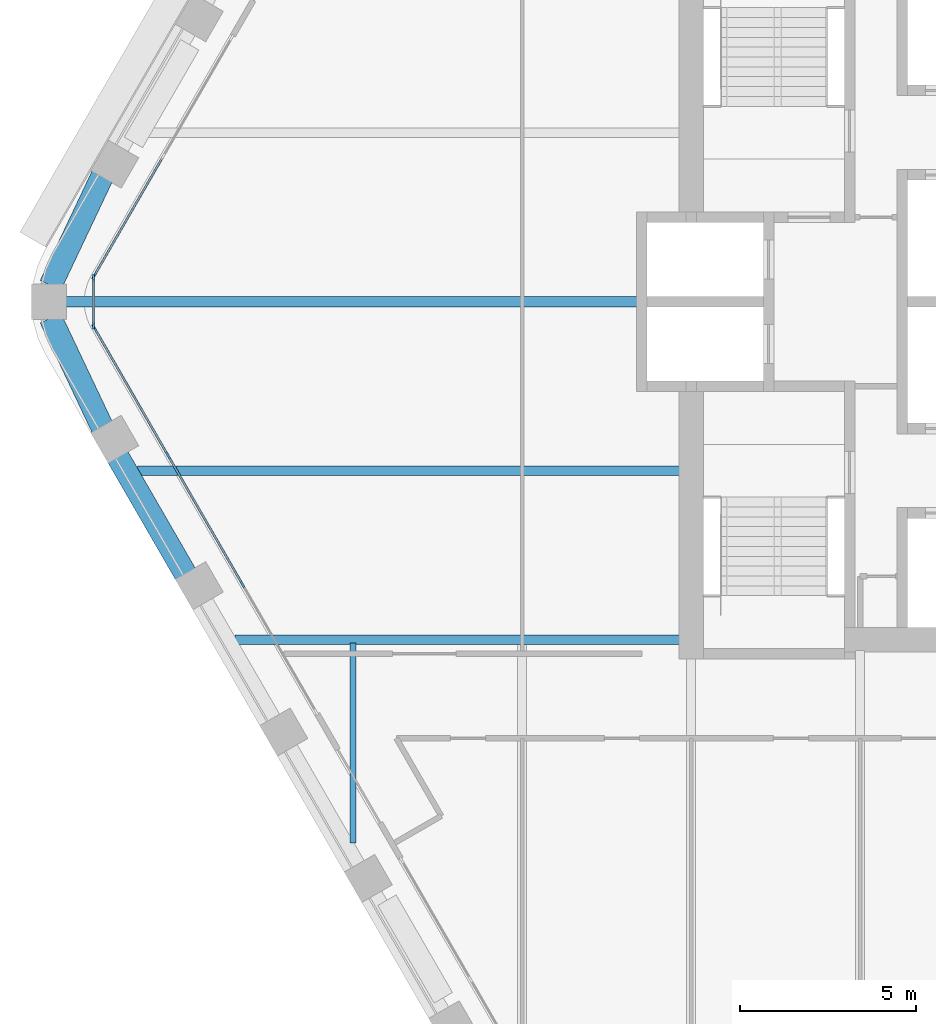
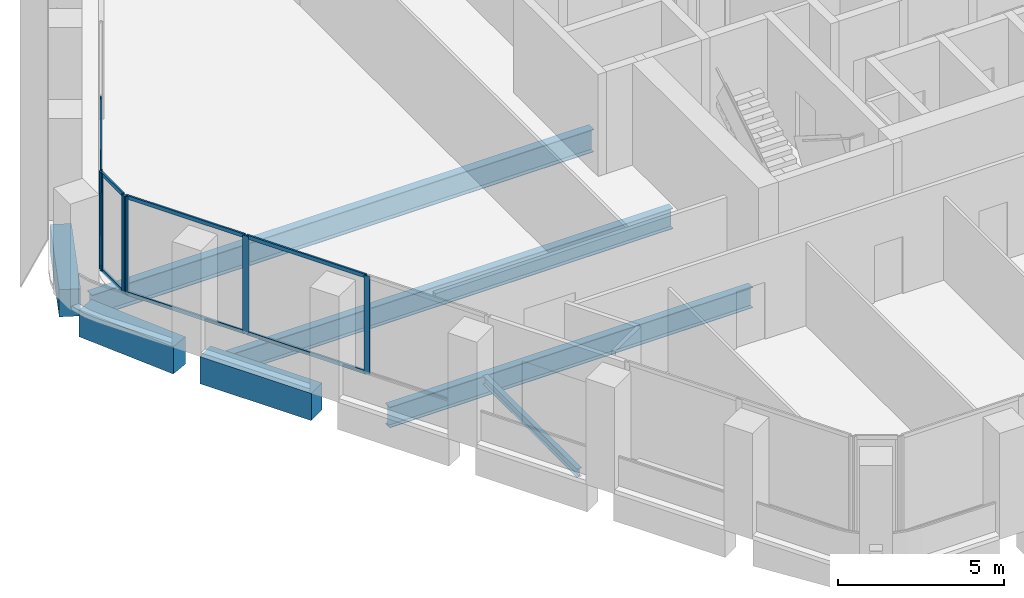
# One storey, part 3 of 16: 14 members, 7 beams, 3 elements without a shape of their own.
"""IFC4 building model written with IfcOpenShell, lengths in metres."""

from ifc_helpers import new_model, si_unit, direction, frame, origin, origin_2d, place, context, subcontext, project, spatial, rectangle, i_section, extrude, material, material_profile, profile_set, type_object, element, aggregate, save


model = new_model("IFC4")

# Units and contexts
model_context = context("Model", 3, precision=1e-05, world=origin(), true_north=direction((0.0, 1.0)))
body_context = subcontext(model_context, "Body", "Model", "MODEL_VIEW")
ifc_project = project(units=[si_unit("LENGTHUNIT", "METRE"), si_unit("AREAUNIT", "SQUARE_METRE"), si_unit("VOLUMEUNIT", "CUBIC_METRE"), si_unit("PLANEANGLEUNIT", "RADIAN"), si_unit("MASSUNIT", "GRAM", prefix="KILO")], contexts=[model_context])

# Site, building, storey
site_placement = place(None, origin())
site = spatial("IfcSite", under=ifc_project, at=site_placement, CompositionType="ELEMENT")
building_placement = place(site_placement, origin())
building = spatial("IfcBuilding", under=site, at=building_placement, Name="Kolab Exchange Tower", CompositionType="ELEMENT")
storey_placement = place(building_placement, frame((0.0, 0.0, 193.39990234375)))
storey = spatial("IfcBuildingStorey", under=building, at=storey_placement, Name="L41", CompositionType="ELEMENT", Elevation=193.39990234375)

# Beams
ifc_material_1 = material(Name="Steel S355", Category="steel")
ifc_material_profile_1 = material_profile(ifc_material_1, i_section(OverallWidth=0.1650390625, OverallDepth=0.31005859375, WebThickness=0.005859375, FlangeThickness=0.009765625, at=origin_2d()), Name="W310X39")
ifc_profile_set_1 = profile_set([ifc_material_profile_1], Name="Steel S355")
beam_type_1 = type_object("IfcBeamType", Name="FLOOR BEAM W310X39", PredefinedType="BEAM", material=ifc_profile_set_1)
beam_1_placement = place(storey_placement, frame((-19.199951171875, -15.36767578125, -0.304931640625), z_axis=(0.0, 1.0, 0.0), x_axis=(-1.0, 0.0, 0.0)))
element("IfcBeam", 1, at=beam_1_placement, inside=storey, type_object=beam_type_1, Name="beam/L41/fr/003", PredefinedType="BEAM", context=body_context, shape_type="SweptSolid", body=[
    extrude(i_section(OverallWidth=0.1650390625, OverallDepth=0.31005859375, WebThickness=0.005859375, FlangeThickness=0.009765625, at=origin_2d()), origin(), (0.0, 0.0, 1.0), 5.674072265625),
])
ifc_material_profile_2 = material_profile(ifc_material_1, i_section(OverallWidth=0.26708984375, OverallDepth=0.761962890625, WebThickness=0.014404296875, FlangeThickness=0.021484375, at=origin_2d()), Name="W760X173")
ifc_profile_set_2 = profile_set([ifc_material_profile_2], Name="Steel S355")
beam_type_2 = type_object("IfcBeamType", Name="FLOOR BEAM W760X173", PredefinedType="BEAM", material=ifc_profile_set_2)
beam_2_placement = place(storey_placement, frame((-25.318115234375, -4.800048828125, -0.531005859375), z_axis=(1.0, 0.0, 0.0), x_axis=(0.0, 1.0, 0.0)))
element("IfcBeam", 2, at=beam_2_placement, inside=storey, type_object=beam_type_2, Name="beam/L41/fr/001", PredefinedType="BEAM", context=body_context, shape_type="SweptSolid", body=[
    extrude(i_section(OverallWidth=0.26708984375, OverallDepth=0.761962890625, WebThickness=0.014404296875, FlangeThickness=0.021484375, at=origin_2d()), origin(), (0.0, 0.0, 1.0), 15.408203125),
])
ifc_material_profile_3 = material_profile(ifc_material_1, i_section(OverallWidth=0.2919921875, OverallDepth=0.840087890625, WebThickness=0.0146484375, FlangeThickness=0.021728515625, at=origin_2d()), Name="W840X193")
ifc_profile_set_3 = profile_set([ifc_material_profile_3], Name="Steel S355")
beam_type_3 = type_object("IfcBeamType", Name="FLOOR BEAM W840X193", PredefinedType="BEAM", material=ifc_profile_set_3)
beam_3_placement = place(storey_placement, frame((-27.3759765625, 0.0, -0.56982421875), z_axis=(1.0, 0.0, 0.0), x_axis=(0.0, 1.0, 0.0)))
element("IfcBeam", 3, at=beam_3_placement, inside=storey, type_object=beam_type_3, Name="beam/L41/fr/000", PredefinedType="BEAM", context=body_context, shape_type="SweptSolid", body=[
    extrude(i_section(OverallWidth=0.2919921875, OverallDepth=0.840087890625, WebThickness=0.0146484375, FlangeThickness=0.021728515625, at=origin_2d()), origin(), (0.0, 0.0, 1.0), 17.466064453125),
])
ifc_material_profile_4 = material_profile(ifc_material_1, i_section(OverallWidth=0.26708984375, OverallDepth=0.761962890625, WebThickness=0.014404296875, FlangeThickness=0.021484375, at=origin_2d()), Name="W760X173")
ifc_profile_set_4 = profile_set([ifc_material_profile_4], Name="Steel S355")
beam_type_4 = type_object("IfcBeamType", Name="FLOOR GIRDER W760X173", PredefinedType="BEAM", material=ifc_profile_set_4)
beam_4_placement = place(storey_placement, frame((-22.546875, -9.60009765625, -0.531005859375), z_axis=(1.0, 0.0, 0.0), x_axis=(0.0, 1.0, 0.0)))
element("IfcBeam", 4, at=beam_4_placement, inside=storey, type_object=beam_type_4, Name="beam/L41/gd/000", PredefinedType="BEAM", context=body_context, shape_type="SweptSolid", body=[
    extrude(i_section(OverallWidth=0.26708984375, OverallDepth=0.761962890625, WebThickness=0.014404296875, FlangeThickness=0.021484375, at=origin_2d()), origin(), (0.0, 0.0, 1.0), 12.636962890625),
])
ifc_material_2 = material(Name="Concrete C60/75", Category="concrete")
ifc_material_profile_5 = material_profile(ifc_material_2, rectangle(XDim=0.64990234375, YDim=1.0, at=origin_2d()), Name="RC650X1000")
ifc_profile_set_5 = profile_set([ifc_material_profile_5], Name="Concrete C60/75")
beam_type_5 = type_object("IfcBeamType", Name="SPANDREL BEAM 650X1000 C60/75", PredefinedType="BEAM", material=ifc_profile_set_5)
beam_5_placement = place(storey_placement, frame((-23.948486328125, -7.7529296875, -0.64990234375), z_axis=(-0.499996613652, 0.866027358884, 0.0), x_axis=(-0.866027358884, -0.499996613652, 0.0)))
element("IfcBeam", 5, at=beam_5_placement, inside=storey, type_object=beam_type_5, Name="beam/L41/sp/F5-05", PredefinedType="BEAM", context=body_context, shape_type="SweptSolid", body=[
    extrude(rectangle(XDim=0.64990234375, YDim=1.0, at=origin_2d()), origin(), (0.0, 0.0, 1.0), 3.8798828125),
])
for number, where, z_axis, x_axis, name in (
    (6, (-26.316162109375, -3.5771484375, -0.64990234375), (-0.428177731975, 0.903694544545, 0.0), (-0.903694544545, -0.428177731975, 0.0), "beam/L41/sp/F5-06"),
    (7, (-27.791259765625, 0.4638671875, -0.64990234375), (0.428177731975, 0.903694544545, 0.0), (-0.903694544545, 0.428177731975, 0.0), "beam/L41/sp/F6-01"),
):
    element("IfcBeam", number, at=place(storey_placement, frame(where, z_axis=z_axis, x_axis=x_axis)), inside=storey, type_object=beam_type_5, Name=name, PredefinedType="BEAM", context=body_context, shape_type="SweptSolid", body=[
        extrude(rectangle(XDim=0.64990234375, YDim=1.0, at=origin_2d()), origin(), (0.0, 0.0, 1.0), 3.445068359375),
    ])

# Curtain wall, members
ifc_material_3 = material(Name="Aluminium EN AW-6063 T6", Category="aluminium")
curtain_wall_type = type_object("IfcCurtainWallType", Name="UNITISED UPPER MID ZONE CURTAIN WALL", PredefinedType="NOTDEFINED", material=ifc_material_3)
curtain_wall_1_placement = place(storey_placement, origin())
curtain_wall_1 = element("IfcCurtainWall", 8, at=curtain_wall_1_placement, inside=storey, type_object=curtain_wall_type, Name="cw/L41/F5-2", PredefinedType="NOTDEFINED")
ifc_material_profile_6 = material_profile(ifc_material_3, rectangle(XDim=0.06005859375, YDim=0.199951171875, at=origin_2d()), Name="RECT 60X200")
ifc_profile_set_6 = profile_set([ifc_material_profile_6], Name="Aluminium EN AW-6063 T6")
member_type_1 = type_object("IfcMemberType", Name="UNITISED UPPER MID ZONE MULLION 60 X 200", PredefinedType="MULLION", material=ifc_profile_set_6)
member_1_placement = place(storey_placement, frame((-22.343017578125, -8.02392578125, 0.0), z_axis=(0.0, 0.0, 1.0), x_axis=(-0.866025427826, -0.499999958358, 0.0)))
member_1 = element("IfcMember", 9, at=member_1_placement, type_object=member_type_1, Name="CW3 mullion 2", PredefinedType="MULLION", context=body_context, shape_type="SweptSolid", body=[
    extrude(rectangle(XDim=0.06005859375, YDim=0.199951171875, at=origin_2d()), origin(), (0.0, 0.0, 1.0), 3.60009765625),
])
member_2_placement = place(storey_placement, frame((-24.454345703125, -4.366943359375, 0.0), z_axis=(0.0, 0.0, 1.0), x_axis=(-0.866025427826, -0.499999958358, 0.0)))
member_2 = element("IfcMember", 10, at=member_2_placement, type_object=member_type_1, Name="CW3 mullion 3", PredefinedType="MULLION", context=body_context, shape_type="SweptSolid", body=[
    extrude(rectangle(XDim=0.06005859375, YDim=0.199951171875, at=origin_2d()), origin(), (0.0, 0.0, 1.0), 3.60009765625),
])
member_3_placement = place(storey_placement, frame((-26.550537109375, -0.736083984375, 0.0), z_axis=(0.0, 0.0, 1.0), x_axis=(-0.866025427826, -0.499999958358, 0.0)))
member_3 = element("IfcMember", 11, at=member_3_placement, type_object=member_type_1, Name="CW3 mullion 4", PredefinedType="MULLION", context=body_context, shape_type="SweptSolid", body=[
    extrude(rectangle(XDim=0.06005859375, YDim=0.199951171875, at=origin_2d()), origin(), (0.0, 0.0, 1.0), 3.60009765625),
])

# Curtain wall, member
curtain_wall_2_placement = place(storey_placement, origin())
curtain_wall_2 = element("IfcCurtainWall", 12, at=curtain_wall_2_placement, inside=storey, type_object=curtain_wall_type, Name="cw/L41/F6-1", PredefinedType="NOTDEFINED")
member_4_placement = place(storey_placement, frame((-26.550537109375, 0.736083984375, 0.0), z_axis=(0.0, 0.0, 1.0), x_axis=(-0.866025440524, 0.499999936366, 0.0)))
member_4 = element("IfcMember", 13, at=member_4_placement, type_object=member_type_1, Name="CW3 mullion 1", PredefinedType="MULLION", context=body_context, shape_type="SweptSolid", body=[
    extrude(rectangle(XDim=0.06005859375, YDim=0.199951171875, at=origin_2d()), origin(), (0.0, 0.0, 1.0), 3.60009765625),
])

# Curtain wall, members
curtain_wall_3_placement = place(storey_placement, origin())
curtain_wall_3 = element("IfcCurtainWall", 14, at=curtain_wall_3_placement, inside=storey, type_object=curtain_wall_type, Name="cw/L41/F5F6-corner", PredefinedType="NOTDEFINED")
member_5_placement = place(storey_placement, frame((-26.565673828125, -0.679931640625, 0.0), z_axis=(0.0, 0.0, 1.0), x_axis=(-1.0, 0.0, 0.0)))
member_5 = element("IfcMember", 15, at=member_5_placement, type_object=member_type_1, Name="CW3 mullion 1", PredefinedType="MULLION", context=body_context, shape_type="SweptSolid", body=[
    extrude(rectangle(XDim=0.06005859375, YDim=0.199951171875, at=origin_2d()), origin(), (0.0, 0.0, 1.0), 3.60009765625),
])
member_6_placement = place(storey_placement, frame((-26.565673828125, 0.679931640625, 0.0), z_axis=(0.0, 0.0, 1.0), x_axis=(-1.0, 0.0, 0.0)))
member_6 = element("IfcMember", 16, at=member_6_placement, type_object=member_type_1, Name="CW3 mullion 2", PredefinedType="MULLION", context=body_context, shape_type="SweptSolid", body=[
    extrude(rectangle(XDim=0.06005859375, YDim=0.199951171875, at=origin_2d()), origin(), (0.0, 0.0, 1.0), 3.60009765625),
])

# Member
ifc_material_profile_7 = material_profile(ifc_material_3, rectangle(XDim=0.06005859375, YDim=0.139892578125, at=origin_2d()), Name="RECT 60X140")
ifc_profile_set_7 = profile_set([ifc_material_profile_7], Name="Aluminium EN AW-6063 T6")
member_type_2 = type_object("IfcMemberType", Name="UNITISED UPPER MID ZONE TRANSOM 60 X 140", PredefinedType="USERDEFINED", material=ifc_profile_set_7)
member_7_placement = place(storey_placement, frame((-22.35791015625, -7.997802734375, 0.030029296875), z_axis=(-0.49999322259, 0.866029316688, 0.0), x_axis=(-0.866029316688, -0.49999322259, 0.0)))
member_7 = element("IfcMember", 17, at=member_7_placement, type_object=member_type_2, Name="CW3 transom 2.1", ObjectType="TRANSOM", PredefinedType="USERDEFINED", context=body_context, shape_type="SweptSolid", body=[
    extrude(rectangle(XDim=0.06005859375, YDim=0.139892578125, at=origin_2d()), origin(), (0.0, 0.0, 1.0), 4.16259765625),
])

member_8_placement = place(storey_placement, frame((-22.35791015625, -7.997802734375, 3.570068359375), z_axis=(-0.49999322259, 0.866029316688, 0.0), x_axis=(-0.866029316688, -0.49999322259, 0.0)))
member_8 = element("IfcMember", 18, at=member_8_placement, type_object=member_type_2, Name="CW3 transom 2.2", ObjectType="TRANSOM", PredefinedType="USERDEFINED", context=body_context, shape_type="SweptSolid", body=[
    extrude(rectangle(XDim=0.06005859375, YDim=0.139892578125, at=origin_2d()), origin(), (0.0, 0.0, 1.0), 4.16259765625),
])

member_9_placement = place(storey_placement, frame((-24.46923828125, -4.3408203125, 0.030029296875), z_axis=(-0.500027577057, 0.866009481578, 0.0), x_axis=(-0.866009481578, -0.500027577057, 0.0)))
member_9 = element("IfcMember", 19, at=member_9_placement, type_object=member_type_2, Name="CW3 transom 3.1", ObjectType="TRANSOM", PredefinedType="USERDEFINED", context=body_context, shape_type="SweptSolid", body=[
    extrude(rectangle(XDim=0.06005859375, YDim=0.139892578125, at=origin_2d()), origin(), (0.0, 0.0, 1.0), 4.132568359375),
])

member_10_placement = place(storey_placement, frame((-24.46923828125, -4.3408203125, 3.570068359375), z_axis=(-0.500027577057, 0.866009481578, 0.0), x_axis=(-0.866009481578, -0.500027577057, 0.0)))
member_10 = element("IfcMember", 20, at=member_10_placement, type_object=member_type_2, Name="CW3 transom 3.2", ObjectType="TRANSOM", PredefinedType="USERDEFINED", context=body_context, shape_type="SweptSolid", body=[
    extrude(rectangle(XDim=0.06005859375, YDim=0.139892578125, at=origin_2d()), origin(), (0.0, 0.0, 1.0), 4.132568359375),
])

aggregate(curtain_wall_1, [member_1, member_2, member_3, member_7, member_8, member_9, member_10])

member_11_placement = place(storey_placement, frame((-26.53564453125, 0.761962890625, 0.030029296875), z_axis=(0.499991857942, 0.866030104553, 0.0), x_axis=(-0.866030104553, 0.499991857942, 0.0)))
member_11 = element("IfcMember", 21, at=member_11_placement, type_object=member_type_2, Name="CW3 transom 1.1", ObjectType="TRANSOM", PredefinedType="USERDEFINED", context=body_context, shape_type="SweptSolid", body=[
    extrude(rectangle(XDim=0.06005859375, YDim=0.139892578125, at=origin_2d()), origin(), (0.0, 0.0, 1.0), 3.84375),
])

member_12_placement = place(storey_placement, frame((-26.53564453125, 0.761962890625, 3.570068359375), z_axis=(0.499991857942, 0.866030104553, 0.0), x_axis=(-0.866030104553, 0.499991857942, 0.0)))
member_12 = element("IfcMember", 22, at=member_12_placement, type_object=member_type_2, Name="CW3 transom 1.2", ObjectType="TRANSOM", PredefinedType="USERDEFINED", context=body_context, shape_type="SweptSolid", body=[
    extrude(rectangle(XDim=0.06005859375, YDim=0.139892578125, at=origin_2d()), origin(), (0.0, 0.0, 1.0), 3.84375),
])

aggregate(curtain_wall_2, [member_4, member_11, member_12])

member_13_placement = place(storey_placement, frame((-26.565673828125, -0.64990234375, 0.030029296875), z_axis=(0.0, 1.0, 0.0), x_axis=(-1.0, 0.0, 0.0)))
member_13 = element("IfcMember", 23, at=member_13_placement, type_object=member_type_2, Name="CW3 transom 1.1", ObjectType="TRANSOM", PredefinedType="USERDEFINED", context=body_context, shape_type="SweptSolid", body=[
    extrude(rectangle(XDim=0.06005859375, YDim=0.139892578125, at=origin_2d()), origin(), (0.0, 0.0, 1.0), 1.2998046875),
])

member_14_placement = place(storey_placement, frame((-26.565673828125, -0.64990234375, 3.570068359375), z_axis=(0.0, 1.0, 0.0), x_axis=(-1.0, 0.0, 0.0)))
member_14 = element("IfcMember", 24, at=member_14_placement, type_object=member_type_2, Name="CW3 transom 1.2", ObjectType="TRANSOM", PredefinedType="USERDEFINED", context=body_context, shape_type="SweptSolid", body=[
    extrude(rectangle(XDim=0.06005859375, YDim=0.139892578125, at=origin_2d()), origin(), (0.0, 0.0, 1.0), 1.2998046875),
])

aggregate(curtain_wall_3, [member_5, member_6, member_13, member_14])

save(model, "model.ifc")
